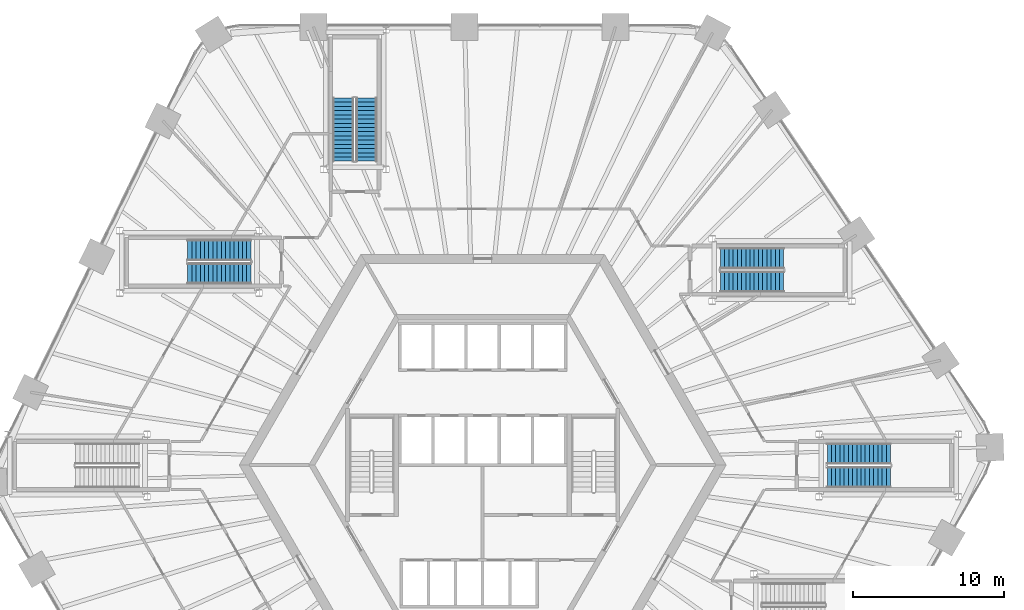
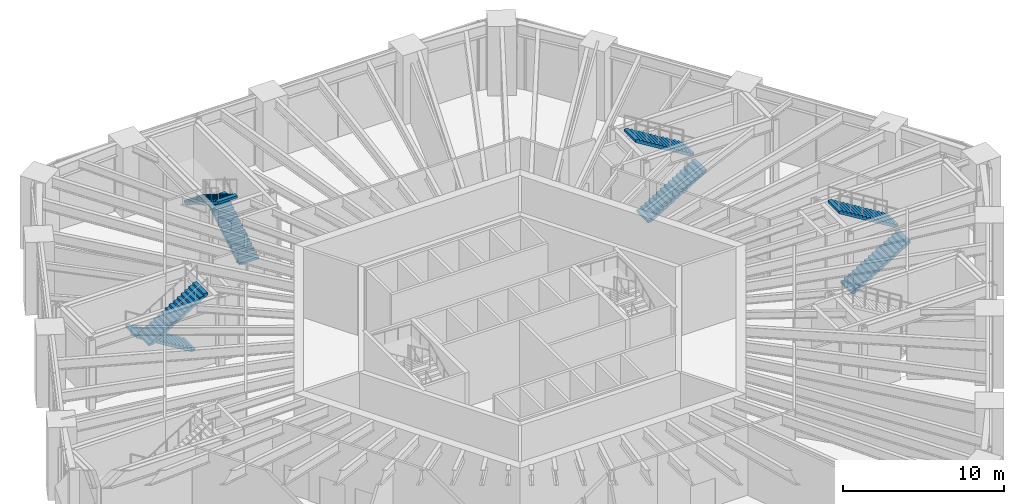
# One storey, part 26 of 30: 8 stair flights, 4 elements without a shape of their own.
"""IFC4 building model written with IfcOpenShell, lengths in metres."""

from ifc_helpers import new_model, si_unit, direction, frame, origin, place, context, subcontext, project, spatial, polyline, outline, extrude, material, type_object, element, aggregate, save


model = new_model("IFC4")

# Units and contexts
model_context = context("Model", 3, precision=1e-05, world=origin(), true_north=direction((0.0, 1.0)))
body_context = subcontext(model_context, "Body", "Model", "MODEL_VIEW")
ifc_project = project(units=[si_unit("LENGTHUNIT", "METRE"), si_unit("AREAUNIT", "SQUARE_METRE"), si_unit("VOLUMEUNIT", "CUBIC_METRE"), si_unit("PLANEANGLEUNIT", "RADIAN"), si_unit("MASSUNIT", "GRAM", prefix="KILO")], contexts=[model_context])

# Site, building, storey
site_placement = place(None, origin())
site = spatial("IfcSite", under=ifc_project, at=site_placement, CompositionType="ELEMENT")
building_placement = place(site_placement, origin())
building = spatial("IfcBuilding", under=site, at=building_placement, Name="Tarnside Tower", CompositionType="ELEMENT")
storey_placement = place(building_placement, frame((0.0, 0.0, 20.5)))
storey = spatial("IfcBuildingStorey", under=building, at=storey_placement, Name="L03", CompositionType="ELEMENT", Elevation=20.5)

# Stair, stair flights
ifc_material = material(Name="Concrete C40/50", Category="concrete")
stair_type = type_object("IfcStairType", Name="Podium exit stair 1400 clear", PredefinedType="HALF_TURN_STAIR", material=ifc_material)
stair_1_placement = place(storey_placement, origin())
stair_1 = element("IfcStair", 1, at=stair_1_placement, inside=storey, type_object=stair_type, Name="L03 Podium exit stair 1", PredefinedType="HALF_TURN_STAIR")
stair_flight_type = type_object("IfcStairFlightType", Name="Podium exit stair flight 1400", PredefinedType="STRAIGHT", material=ifc_material)
stair_flight_1_placement = place(storey_placement, frame((-7.71484375, 20.179931640625, 0.0), z_axis=(0.0, 0.0, 1.0), x_axis=(0.0, 1.0, 0.0)))
stair_flight_1 = element("IfcStairFlight", 2, at=stair_flight_1_placement, type_object=stair_flight_type, Name="PS1 flight 1", NumberOfRisers=16, NumberOfTreads=15, PredefinedType="STRAIGHT", RiserHeight=0.171875, TreadLength=0.28, context=body_context, shape_type="SweptSolid", body=[
    extrude(outline(polyline([(0.0, 0.0), (0.0, 0.171875), (0.280029296875, 0.171875), (0.280029296875, 0.34375), (0.56005859375, 0.34375), (0.56005859375, 0.515625), (0.840087890625, 0.515625), (0.840087890625, 0.6875), (1.1201171875, 0.6875), (1.1201171875, 0.859375), (1.39990234375, 0.859375), (1.39990234375, 1.03125), (1.679931640625, 1.03125), (1.679931640625, 1.203125), (1.9599609375, 1.203125), (1.9599609375, 1.375), (2.239990234375, 1.375), (2.239990234375, 1.546875), (2.52001953125, 1.546875), (2.52001953125, 1.71875), (2.800048828125, 1.71875), (2.800048828125, 1.890625), (3.080078125, 1.890625), (3.080078125, 2.0625), (3.360107421875, 2.0625), (3.360107421875, 2.234375), (3.639892578125, 2.234375), (3.639892578125, 2.40625), (3.919921875, 2.40625), (3.919921875, 2.578125), (4.199951171875, 2.578125), (4.199951171875, 2.75), (4.199951171875, 2.40234375), (0.28662109375, 0.0), (0.0, 0.0)])), frame((0.0, 0.699951171875, 0.0), z_axis=(0.0, -1.0, 0.0), x_axis=(1.0, 0.0, 0.0)), (0.0, 0.0, 1.0), 1.39990234375),
])
stair_flight_2_placement = place(storey_placement, frame((-9.2646484375, 24.3798828125, 2.75), z_axis=(0.0, 0.0, 1.0), x_axis=(0.0, -1.0, 0.0)))
stair_flight_2 = element("IfcStairFlight", 3, at=stair_flight_2_placement, type_object=stair_flight_type, Name="PS1 flight 2", NumberOfRisers=16, NumberOfTreads=15, PredefinedType="STRAIGHT", RiserHeight=0.171875, TreadLength=0.28, context=body_context, shape_type="SweptSolid", body=[
    extrude(outline(polyline([(0.0, 0.0), (0.0, 0.171875), (0.280029296875, 0.171875), (0.280029296875, 0.34375), (0.56005859375, 0.34375), (0.56005859375, 0.515625), (0.840087890625, 0.515625), (0.840087890625, 0.6875), (1.1201171875, 0.6875), (1.1201171875, 0.859375), (1.39990234375, 0.859375), (1.39990234375, 1.03125), (1.679931640625, 1.03125), (1.679931640625, 1.203125), (1.9599609375, 1.203125), (1.9599609375, 1.375), (2.239990234375, 1.375), (2.239990234375, 1.546875), (2.52001953125, 1.546875), (2.52001953125, 1.71875), (2.800048828125, 1.71875), (2.800048828125, 1.890625), (3.080078125, 1.890625), (3.080078125, 2.0625), (3.360107421875, 2.0625), (3.360107421875, 2.234375), (3.639892578125, 2.234375), (3.639892578125, 2.40625), (3.919921875, 2.40625), (3.919921875, 2.578125), (4.199951171875, 2.578125), (4.199951171875, 2.75), (4.199951171875, 2.40234375), (0.28662109375, 0.0), (0.0, 0.0)])), frame((0.0, 0.699951171875, 0.0), z_axis=(0.0, -1.0, 0.0), x_axis=(1.0, 0.0, 0.0)), (0.0, 0.0, 1.0), 1.39990234375),
])
aggregate(stair_1, [stair_flight_1, stair_flight_2])

stair_2_placement = place(storey_placement, origin())
stair_2 = element("IfcStair", 4, at=stair_2_placement, inside=storey, type_object=stair_type, Name="L03 Podium exit stair 3", PredefinedType="HALF_TURN_STAIR")
stair_flight_3_placement = place(storey_placement, frame((22.8798828125, -0.800048828125, 0.0), z_axis=(0.0, 0.0, 1.0), x_axis=(1.0, 0.0, 0.0)))
stair_flight_3 = element("IfcStairFlight", 5, at=stair_flight_3_placement, type_object=stair_flight_type, Name="PS3 flight 1", NumberOfRisers=16, NumberOfTreads=15, PredefinedType="STRAIGHT", RiserHeight=0.171875, TreadLength=0.28, context=body_context, shape_type="SweptSolid", body=[
    extrude(outline(polyline([(0.0, 0.0), (0.0, 0.171875), (0.280029296875, 0.171875), (0.280029296875, 0.34375), (0.56005859375, 0.34375), (0.56005859375, 0.515625), (0.840087890625, 0.515625), (0.840087890625, 0.6875), (1.1201171875, 0.6875), (1.1201171875, 0.859375), (1.39990234375, 0.859375), (1.39990234375, 1.03125), (1.679931640625, 1.03125), (1.679931640625, 1.203125), (1.9599609375, 1.203125), (1.9599609375, 1.375), (2.239990234375, 1.375), (2.239990234375, 1.546875), (2.52001953125, 1.546875), (2.52001953125, 1.71875), (2.800048828125, 1.71875), (2.800048828125, 1.890625), (3.080078125, 1.890625), (3.080078125, 2.0625), (3.360107421875, 2.0625), (3.360107421875, 2.234375), (3.639892578125, 2.234375), (3.639892578125, 2.40625), (3.919921875, 2.40625), (3.919921875, 2.578125), (4.199951171875, 2.578125), (4.199951171875, 2.75), (4.199951171875, 2.40234375), (0.28662109375, 0.0), (0.0, 0.0)])), frame((0.0, 0.699951171875, 0.0), z_axis=(0.0, -1.0, 0.0), x_axis=(1.0, 0.0, 0.0)), (0.0, 0.0, 1.0), 1.39990234375),
])
stair_flight_4_placement = place(storey_placement, frame((27.080078125, 0.75, 2.75), z_axis=(0.0, 0.0, 1.0), x_axis=(-1.0, 0.0, 0.0)))
stair_flight_4 = element("IfcStairFlight", 6, at=stair_flight_4_placement, type_object=stair_flight_type, Name="PS3 flight 2", NumberOfRisers=16, NumberOfTreads=15, PredefinedType="STRAIGHT", RiserHeight=0.171875, TreadLength=0.28, context=body_context, shape_type="SweptSolid", body=[
    extrude(outline(polyline([(0.0, 0.0), (0.0, 0.171875), (0.280029296875, 0.171875), (0.280029296875, 0.34375), (0.56005859375, 0.34375), (0.56005859375, 0.515625), (0.840087890625, 0.515625), (0.840087890625, 0.6875), (1.1201171875, 0.6875), (1.1201171875, 0.859375), (1.39990234375, 0.859375), (1.39990234375, 1.03125), (1.679931640625, 1.03125), (1.679931640625, 1.203125), (1.9599609375, 1.203125), (1.9599609375, 1.375), (2.239990234375, 1.375), (2.239990234375, 1.546875), (2.52001953125, 1.546875), (2.52001953125, 1.71875), (2.800048828125, 1.71875), (2.800048828125, 1.890625), (3.080078125, 1.890625), (3.080078125, 2.0625), (3.360107421875, 2.0625), (3.360107421875, 2.234375), (3.639892578125, 2.234375), (3.639892578125, 2.40625), (3.919921875, 2.40625), (3.919921875, 2.578125), (4.199951171875, 2.578125), (4.199951171875, 2.75), (4.199951171875, 2.40234375), (0.28662109375, 0.0), (0.0, 0.0)])), frame((0.0, 0.699951171875, 0.0), z_axis=(0.0, -1.0, 0.0), x_axis=(1.0, 0.0, 0.0)), (0.0, 0.0, 1.0), 1.39990234375),
])
aggregate(stair_2, [stair_flight_3, stair_flight_4])

stair_3_placement = place(storey_placement, origin())
stair_3 = element("IfcStair", 7, at=stair_3_placement, inside=storey, type_object=stair_type, Name="L03 Podium exit stair 4", PredefinedType="HALF_TURN_STAIR")
stair_flight_5_placement = place(storey_placement, frame((15.7900390625, 12.175048828125, 0.0), z_axis=(0.0, 0.0, 1.0), x_axis=(1.0, 0.0, 0.0)))
stair_flight_5 = element("IfcStairFlight", 8, at=stair_flight_5_placement, type_object=stair_flight_type, Name="PS4 flight 1", NumberOfRisers=16, NumberOfTreads=15, PredefinedType="STRAIGHT", RiserHeight=0.171875, TreadLength=0.28, context=body_context, shape_type="SweptSolid", body=[
    extrude(outline(polyline([(0.0, 0.0), (0.0, 0.171875), (0.280029296875, 0.171875), (0.280029296875, 0.34375), (0.56005859375, 0.34375), (0.56005859375, 0.515625), (0.840087890625, 0.515625), (0.840087890625, 0.6875), (1.1201171875, 0.6875), (1.1201171875, 0.859375), (1.39990234375, 0.859375), (1.39990234375, 1.03125), (1.679931640625, 1.03125), (1.679931640625, 1.203125), (1.9599609375, 1.203125), (1.9599609375, 1.375), (2.239990234375, 1.375), (2.239990234375, 1.546875), (2.52001953125, 1.546875), (2.52001953125, 1.71875), (2.800048828125, 1.71875), (2.800048828125, 1.890625), (3.080078125, 1.890625), (3.080078125, 2.0625), (3.360107421875, 2.0625), (3.360107421875, 2.234375), (3.639892578125, 2.234375), (3.639892578125, 2.40625), (3.919921875, 2.40625), (3.919921875, 2.578125), (4.199951171875, 2.578125), (4.199951171875, 2.75), (4.199951171875, 2.40234375), (0.28662109375, 0.0), (0.0, 0.0)])), frame((0.0, 0.699951171875, 0.0), z_axis=(0.0, -1.0, 0.0), x_axis=(1.0, 0.0, 0.0)), (0.0, 0.0, 1.0), 1.39990234375),
])
stair_flight_6_placement = place(storey_placement, frame((19.989990234375, 13.72509765625, 2.75), z_axis=(0.0, 0.0, 1.0), x_axis=(-1.0, 0.0, 0.0)))
stair_flight_6 = element("IfcStairFlight", 9, at=stair_flight_6_placement, type_object=stair_flight_type, Name="PS4 flight 2", NumberOfRisers=16, NumberOfTreads=15, PredefinedType="STRAIGHT", RiserHeight=0.171875, TreadLength=0.28, context=body_context, shape_type="SweptSolid", body=[
    extrude(outline(polyline([(0.0, 0.0), (0.0, 0.171875), (0.280029296875, 0.171875), (0.280029296875, 0.34375), (0.56005859375, 0.34375), (0.56005859375, 0.515625), (0.840087890625, 0.515625), (0.840087890625, 0.6875), (1.1201171875, 0.6875), (1.1201171875, 0.859375), (1.39990234375, 0.859375), (1.39990234375, 1.03125), (1.679931640625, 1.03125), (1.679931640625, 1.203125), (1.9599609375, 1.203125), (1.9599609375, 1.375), (2.239990234375, 1.375), (2.239990234375, 1.546875), (2.52001953125, 1.546875), (2.52001953125, 1.71875), (2.800048828125, 1.71875), (2.800048828125, 1.890625), (3.080078125, 1.890625), (3.080078125, 2.0625), (3.360107421875, 2.0625), (3.360107421875, 2.234375), (3.639892578125, 2.234375), (3.639892578125, 2.40625), (3.919921875, 2.40625), (3.919921875, 2.578125), (4.199951171875, 2.578125), (4.199951171875, 2.75), (4.199951171875, 2.40234375), (0.28662109375, 0.0), (0.0, 0.0)])), frame((0.0, 0.699951171875, 0.0), z_axis=(0.0, -1.0, 0.0), x_axis=(1.0, 0.0, 0.0)), (0.0, 0.0, 1.0), 1.39990234375),
])
aggregate(stair_3, [stair_flight_5, stair_flight_6])

stair_4_placement = place(storey_placement, origin())
stair_4 = element("IfcStair", 10, at=stair_4_placement, inside=storey, type_object=stair_type, Name="L03 Podium exit stair 6", PredefinedType="HALF_TURN_STAIR")
stair_flight_7_placement = place(storey_placement, frame((-15.389892578125, 14.27490234375, 0.0), z_axis=(0.0, 0.0, 1.0), x_axis=(-1.0, 0.0, 0.0)))
stair_flight_7 = element("IfcStairFlight", 11, at=stair_flight_7_placement, type_object=stair_flight_type, Name="PS6 flight 1", NumberOfRisers=16, NumberOfTreads=15, PredefinedType="STRAIGHT", RiserHeight=0.171875, TreadLength=0.28, context=body_context, shape_type="SweptSolid", body=[
    extrude(outline(polyline([(0.0, 0.0), (0.0, 0.171875), (0.280029296875, 0.171875), (0.280029296875, 0.34375), (0.56005859375, 0.34375), (0.56005859375, 0.515625), (0.840087890625, 0.515625), (0.840087890625, 0.6875), (1.1201171875, 0.6875), (1.1201171875, 0.859375), (1.39990234375, 0.859375), (1.39990234375, 1.03125), (1.679931640625, 1.03125), (1.679931640625, 1.203125), (1.9599609375, 1.203125), (1.9599609375, 1.375), (2.239990234375, 1.375), (2.239990234375, 1.546875), (2.52001953125, 1.546875), (2.52001953125, 1.71875), (2.800048828125, 1.71875), (2.800048828125, 1.890625), (3.080078125, 1.890625), (3.080078125, 2.0625), (3.360107421875, 2.0625), (3.360107421875, 2.234375), (3.639892578125, 2.234375), (3.639892578125, 2.40625), (3.919921875, 2.40625), (3.919921875, 2.578125), (4.199951171875, 2.578125), (4.199951171875, 2.75), (4.199951171875, 2.40234375), (0.28662109375, 0.0), (0.0, 0.0)])), frame((0.0, 0.699951171875, 0.0), z_axis=(0.0, -1.0, 0.0), x_axis=(1.0, 0.0, 0.0)), (0.0, 0.0, 1.0), 1.39990234375),
])
stair_flight_8_placement = place(storey_placement, frame((-19.590087890625, 12.72509765625, 2.75), z_axis=(0.0, 0.0, 1.0), x_axis=(1.0, 0.0, 0.0)))
stair_flight_8 = element("IfcStairFlight", 12, at=stair_flight_8_placement, type_object=stair_flight_type, Name="PS6 flight 2", NumberOfRisers=16, NumberOfTreads=15, PredefinedType="STRAIGHT", RiserHeight=0.171875, TreadLength=0.28, context=body_context, shape_type="SweptSolid", body=[
    extrude(outline(polyline([(0.0, 0.0), (0.0, 0.171875), (0.280029296875, 0.171875), (0.280029296875, 0.34375), (0.56005859375, 0.34375), (0.56005859375, 0.515625), (0.840087890625, 0.515625), (0.840087890625, 0.6875), (1.1201171875, 0.6875), (1.1201171875, 0.859375), (1.39990234375, 0.859375), (1.39990234375, 1.03125), (1.679931640625, 1.03125), (1.679931640625, 1.203125), (1.9599609375, 1.203125), (1.9599609375, 1.375), (2.239990234375, 1.375), (2.239990234375, 1.546875), (2.52001953125, 1.546875), (2.52001953125, 1.71875), (2.800048828125, 1.71875), (2.800048828125, 1.890625), (3.080078125, 1.890625), (3.080078125, 2.0625), (3.360107421875, 2.0625), (3.360107421875, 2.234375), (3.639892578125, 2.234375), (3.639892578125, 2.40625), (3.919921875, 2.40625), (3.919921875, 2.578125), (4.199951171875, 2.578125), (4.199951171875, 2.75), (4.199951171875, 2.40234375), (0.28662109375, 0.0), (0.0, 0.0)])), frame((0.0, 0.699951171875, 0.0), z_axis=(0.0, -1.0, 0.0), x_axis=(1.0, 0.0, 0.0)), (0.0, 0.0, 1.0), 1.39990234375),
])
aggregate(stair_4, [stair_flight_7, stair_flight_8])

save(model, "model.ifc")
